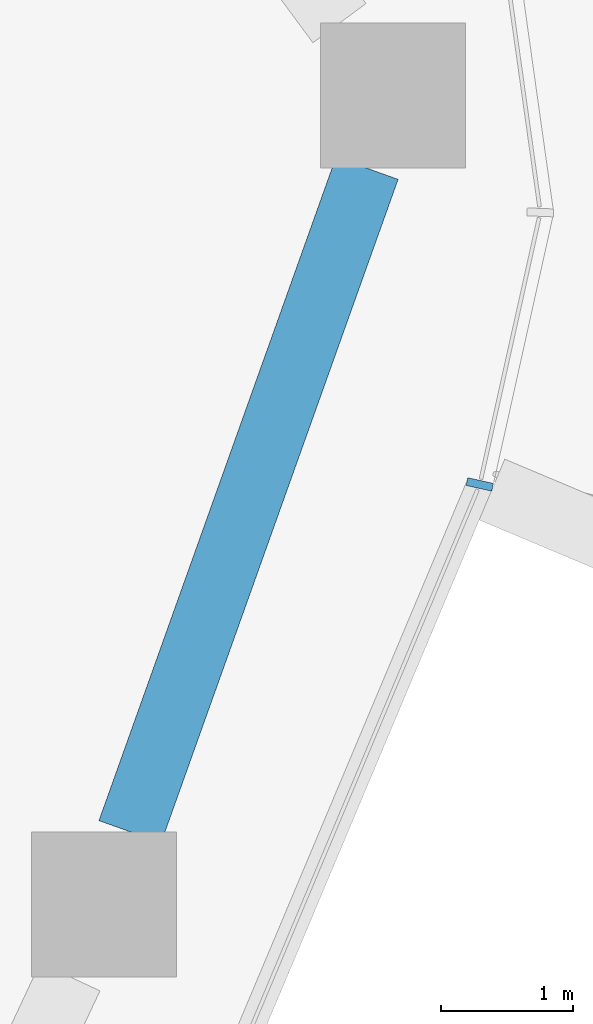
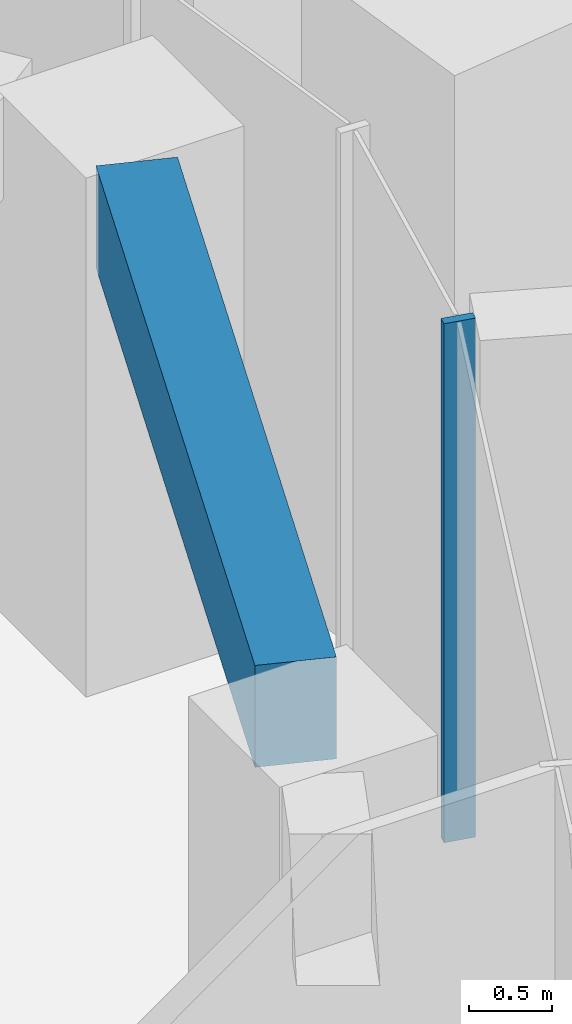
# One storey, part 5 of 20: 1 beam, 1 member, 1 element without a shape of its own.
"""IFC4 building model written with IfcOpenShell, lengths in metres."""

from ifc_helpers import new_model, si_unit, direction, frame, origin, origin_2d, place, context, subcontext, project, spatial, rectangle, extrude, material, layer, layer_set, material_profile, profile_set, type_object, element, aggregate, save


model = new_model("IFC4")

# Units and contexts
model_context = context("Model", 3, precision=1e-05, world=origin(), true_north=direction((0.0, 1.0)))
body_context = subcontext(model_context, "Body", "Model", "MODEL_VIEW")
ifc_project = project(units=[si_unit("LENGTHUNIT", "METRE"), si_unit("AREAUNIT", "SQUARE_METRE"), si_unit("VOLUMEUNIT", "CUBIC_METRE"), si_unit("PLANEANGLEUNIT", "RADIAN"), si_unit("MASSUNIT", "GRAM", prefix="KILO")], contexts=[model_context])

# Site, building, storey
site_placement = place(None, origin())
site = spatial("IfcSite", under=ifc_project, at=site_placement, CompositionType="ELEMENT")
building_placement = place(site_placement, origin())
building = spatial("IfcBuilding", under=site, at=building_placement, Name="Dongbaek Canopy Tower", CompositionType="ELEMENT")
storey_placement = place(building_placement, frame((0.0, 0.0, 258.0)))
storey = spatial("IfcBuildingStorey", under=building, at=storey_placement, Name="L54", CompositionType="ELEMENT", Elevation=258.0)

# Curtain wall, member
ifc_material_1 = material(Name="Aluminium 6063-T6 pale anodised", Category="aluminium")
ifc_layer = layer(ifc_material_1, 0.199951171875)
ifc_layer_set = layer_set([ifc_layer], Name="CW-1 unitised tower curtain wall")
curtain_wall_type = type_object("IfcCurtainWallType", Name="CW-1 unitised tower curtain wall", PredefinedType="NOTDEFINED", material=ifc_layer_set)
curtain_wall_placement = place(storey_placement, origin())
curtain_wall = element("IfcCurtainWall", 1, at=curtain_wall_placement, inside=storey, type_object=curtain_wall_type, Name="CW-1 curtain wall K0.1", PredefinedType="NOTDEFINED")
ifc_material_2 = material(Name="Aluminium 6063-T6 pale anodised", Category="aluminium")
ifc_material_profile_1 = material_profile(ifc_material_2, rectangle(XDim=0.199951171875, YDim=0.06005859375, at=origin_2d()), Name="CW-1 mullion 60 x 200")
ifc_profile_set_1 = profile_set([ifc_material_profile_1], Name="Aluminium 6063-T6 pale anodised")
member_type = type_object("IfcMemberType", Name="CW-1 mullion 60 x 200", PredefinedType="MULLION", material=ifc_profile_set_1)
member_placement = place(storey_placement, frame((28.14990234375, 3.0302734375, 0.0), z_axis=(0.0, 0.0, 1.0), x_axis=(0.976146824965, -0.21711143708, 0.0)))
member = element("IfcMember", 2, at=member_placement, type_object=member_type, Name="CW-1 mullion K0.1.1", PredefinedType="MULLION", context=body_context, shape_type="SweptSolid", body=[
    extrude(rectangle(XDim=0.199951171875, YDim=0.06005859375, at=origin_2d()), origin(), (0.0, 0.0, 1.0), 3.820068359375),
])
aggregate(curtain_wall, [member])

# Beam
ifc_material_3 = material(Name="Concrete C70", Category="concrete")
ifc_material_profile_2 = material_profile(ifc_material_3, rectangle(XDim=0.5, YDim=0.75, at=origin_2d()), Name="RC EDGE BEAM 500x750 C70")
ifc_profile_set_2 = profile_set([ifc_material_profile_2], Name="Concrete C70")
beam_type = type_object("IfcBeamType", Name="RC EDGE BEAM 500x750 C70", PredefinedType="BEAM", material=ifc_profile_set_2)
beam_placement = place(storey_placement, frame((27.29541015625, 5.427001953125, 3.445068359375), z_axis=(-0.336466714227, -0.94169535956, 0.0), x_axis=(0.94169535956, -0.336466714227, 0.0)))
element("IfcBeam", 3, at=beam_placement, inside=storey, type_object=beam_type, Name="EDGEBEAM:L54:21", PredefinedType="BEAM", context=body_context, shape_type="SweptSolid", body=[
    extrude(rectangle(XDim=0.5, YDim=0.75, at=origin_2d()), origin(), (0.0, 0.0, 1.0), 5.34033203125),
])

save(model, "model.ifc")
